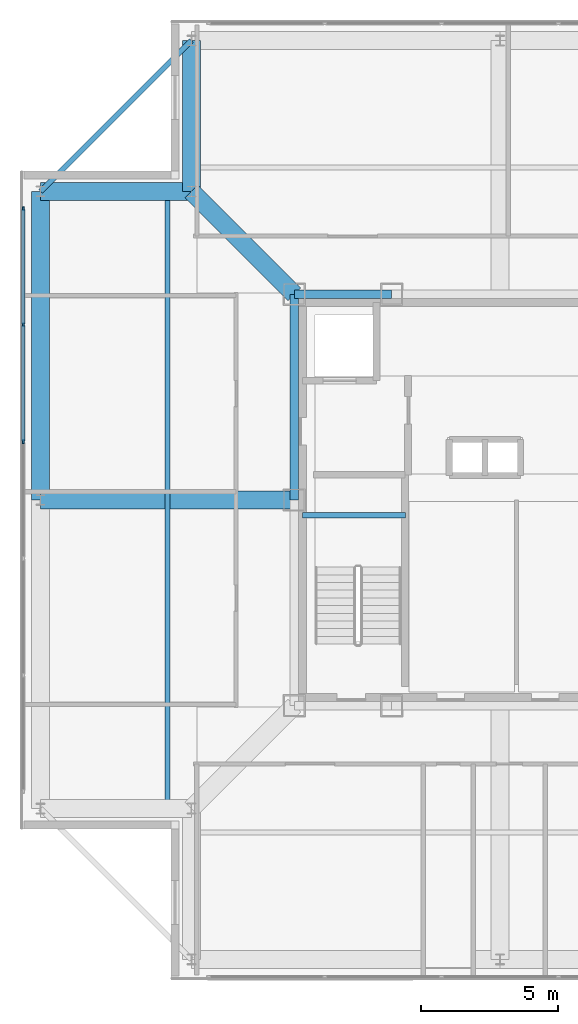
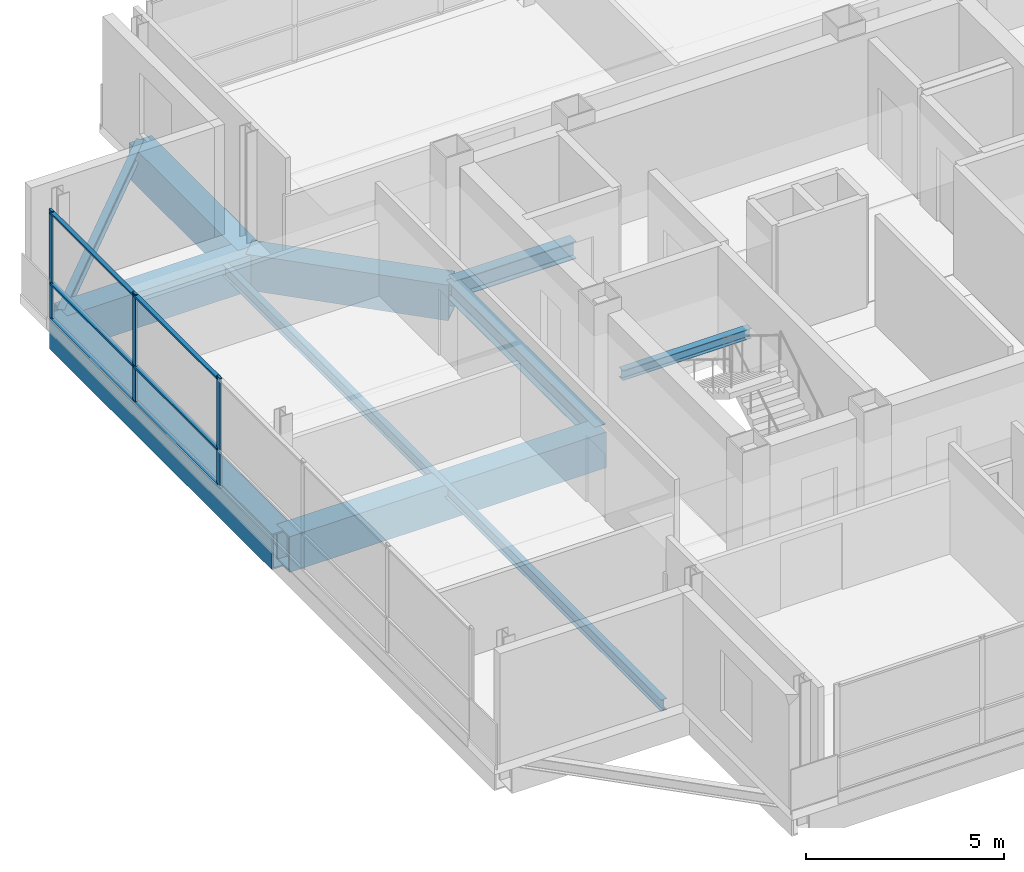
# One storey, part 4 of 12: 10 beams, 9 members, 1 element without a shape of its own.
"""IFC4 building model written with IfcOpenShell, lengths in metres."""

from ifc_helpers import new_model, si_unit, direction, frame, origin, origin_2d, place, context, subcontext, project, spatial, rectangle, hollow_rectangle, i_section, extrude, material, layer, layer_set, material_profile, profile_set, type_object, element, aggregate, save


model = new_model("IFC4")

# Units and contexts
model_context = context("Model", 3, precision=1e-05, world=origin(), true_north=direction((0.0, 1.0)))
body_context = subcontext(model_context, "Body", "Model", "MODEL_VIEW")
ifc_project = project(units=[si_unit("LENGTHUNIT", "METRE"), si_unit("AREAUNIT", "SQUARE_METRE"), si_unit("VOLUMEUNIT", "CUBIC_METRE"), si_unit("PLANEANGLEUNIT", "RADIAN"), si_unit("MASSUNIT", "GRAM", prefix="KILO")], contexts=[model_context])

# Site, building, storey
site_placement = place(None, origin())
site = spatial("IfcSite", under=ifc_project, at=site_placement, CompositionType="ELEMENT")
building_placement = place(site_placement, origin())
building = spatial("IfcBuilding", under=site, at=building_placement, Name="Trevonay Congress Spire", CompositionType="ELEMENT")
storey_placement = place(building_placement, frame((0.0, 0.0, 304.60009765625)))
storey = spatial("IfcBuildingStorey", under=building, at=storey_placement, Name="L80", CompositionType="ELEMENT", Elevation=304.60009765625)

# Beams
ifc_material_1 = material(Name="Steel ASTM A572 Grade 50", Category="steel")
ifc_material_profile_1 = material_profile(ifc_material_1, i_section(OverallWidth=0.31201171875, OverallDepth=0.54296875, WebThickness=0.0126953125, FlangeThickness=0.020263671875, FilletRadius=0.014892578125, at=origin_2d()), Name="W530x150")
ifc_profile_set_1 = profile_set([ifc_material_profile_1], Name="Steel ASTM A572 Grade 50")
beam_type_1 = type_object("IfcBeamType", Name="BM-GIRD-W530X150", PredefinedType="BEAM", material=ifc_profile_set_1)
beam_1_placement = place(storey_placement, frame((-7.5, 7.5, -0.551513671875), z_axis=(1.0, 0.0, 0.0), x_axis=(0.0, 1.0, 0.0)))
element("IfcBeam", 1, at=beam_1_placement, inside=storey, type_object=beam_type_1, Name="L80 structural beam BM-L80-CR-N1", PredefinedType="BEAM", context=body_context, shape_type="SweptSolid", body=[
    extrude(i_section(OverallWidth=0.31201171875, OverallDepth=0.54296875, WebThickness=0.0126953125, FlangeThickness=0.020263671875, FilletRadius=0.014892578125, at=origin_2d()), origin(), (0.0, 0.0, 1.0), 3.550048828125),
])
beam_2_placement = place(storey_placement, frame((-7.5, 0.0, -0.551513671875), z_axis=(0.0, 1.0, 0.0), x_axis=(-1.0, 0.0, 0.0)))
element("IfcBeam", 2, at=beam_2_placement, inside=storey, type_object=beam_type_1, Name="L80 structural beam BM-L80-CR-W2", PredefinedType="BEAM", context=body_context, shape_type="SweptSolid", body=[
    extrude(i_section(OverallWidth=0.31201171875, OverallDepth=0.54296875, WebThickness=0.0126953125, FlangeThickness=0.020263671875, FilletRadius=0.014892578125, at=origin_2d()), origin(), (0.0, 0.0, 1.0), 7.5),
])
ifc_material_profile_2 = material_profile(ifc_material_1, hollow_rectangle(XDim=0.64990234375, YDim=1.10009765625, WallThickness=0.044921875, at=origin_2d()), Name="BOX 1100x650x45")
ifc_profile_set_2 = profile_set([ifc_material_profile_2], Name="Steel ASTM A572 Grade 50")
beam_type_2 = type_object("IfcBeamType", Name="BM-RING-BOX1100", PredefinedType="BEAM", material=ifc_profile_set_2)
beam_3_placement = place(storey_placement, frame((-16.75, 0.0, -0.830078125), z_axis=(0.0, 1.0, 0.0), x_axis=(-1.0, 0.0, 0.0)))
element("IfcBeam", 3, at=beam_3_placement, inside=storey, type_object=beam_type_2, Name="L80 structural beam BM-L80-PW2", PredefinedType="BEAM", context=body_context, shape_type="SweptSolid", body=[
    extrude(hollow_rectangle(XDim=0.64990234375, YDim=1.10009765625, WallThickness=0.044921875, at=origin_2d()), origin(), (0.0, 0.0, 1.0), 11.25),
])
for number, where, z_axis, x_axis, name in (
    (4, (-11.25, 16.75, -0.830078125), (0.0, -1.0, 0.0), (1.0, 0.0, 0.0), "L80 structural beam BM-L80-N1NW"),
    (5, (-16.75, 11.25, -0.830078125), (1.0, 0.0, 0.0), (0.0, 1.0, 0.0), "L80 structural beam BM-L80-N2NW"),
):
    element("IfcBeam", number, at=place(storey_placement, frame(where, z_axis=z_axis, x_axis=x_axis)), inside=storey, type_object=beam_type_2, Name=name, PredefinedType="BEAM", context=body_context, shape_type="SweptSolid", body=[
        extrude(hollow_rectangle(XDim=0.64990234375, YDim=1.10009765625, WallThickness=0.044921875, at=origin_2d()), origin(), (0.0, 0.0, 1.0), 5.5),
    ])
ifc_material_profile_3 = material_profile(ifc_material_1, hollow_rectangle(XDim=0.64990234375, YDim=1.10009765625, WallThickness=0.044921875, at=origin_2d()), Name="BOX 1100x650x45")
ifc_profile_set_3 = profile_set([ifc_material_profile_3], Name="Steel ASTM A572 Grade 50")
beam_type_3 = type_object("IfcBeamType", Name="BM-XFER-BOX1100", PredefinedType="BEAM", material=ifc_profile_set_3)
beam_4_placement = place(storey_placement, frame((-7.5, 7.5, -0.830078125), z_axis=(-0.707106781187, 0.707106781187, 0.0), x_axis=(-0.707106781187, -0.707106781187, 0.0)))
element("IfcBeam", 6, at=beam_4_placement, inside=storey, type_object=beam_type_3, Name="L80 structural beam BM-L80-CDNW", PredefinedType="BEAM", context=body_context, shape_type="SweptSolid", body=[
    extrude(hollow_rectangle(XDim=0.64990234375, YDim=1.10009765625, WallThickness=0.044921875, at=origin_2d()), origin(), (0.0, 0.0, 1.0), 5.30322265625),
])
beam_5_placement = place(storey_placement, frame((-7.5, 0.0, -0.830078125), z_axis=(-1.0, 0.0, 0.0), x_axis=(0.0, -1.0, 0.0)))
element("IfcBeam", 7, at=beam_5_placement, inside=storey, type_object=beam_type_3, Name="L80 structural beam BM-L80-GC-W", PredefinedType="BEAM", context=body_context, shape_type="SweptSolid", body=[
    extrude(hollow_rectangle(XDim=0.64990234375, YDim=1.10009765625, WallThickness=0.044921875, at=origin_2d()), origin(), (0.0, 0.0, 1.0), 9.25),
])

# Curtain wall, members
ifc_material_2 = material(Name="Pale Anodised Aluminium EN AW-6063-T6", Category="aluminium")
ifc_layer = layer(ifc_material_2, 0.159912109375, Name="Pale Anodised Aluminium EN AW-6063-T6")
ifc_layer_set = layer_set([ifc_layer], Name="Pale Anodised Aluminium EN AW-6063-T6")
curtain_wall_type = type_object("IfcCurtainWallType", Name="CW-SYS06-CROWN-PALE-METAL", PredefinedType="NOTDEFINED", material=ifc_layer_set)
curtain_wall_placement = place(storey_placement, origin())
curtain_wall = element("IfcCurtainWall", 8, at=curtain_wall_placement, inside=storey, type_object=curtain_wall_type, Name="L80 W unitised curtain wall", PredefinedType="NOTDEFINED")
ifc_material_profile_4 = material_profile(ifc_material_2, rectangle(XDim=0.06005859375, YDim=0.159912109375, at=origin_2d()), Name="CW-MULLION-160-ALUMINIUM")
ifc_profile_set_4 = profile_set([ifc_material_profile_4], Name="Pale Anodised Aluminium EN AW-6063-T6")
member_type_1 = type_object("IfcMemberType", Name="CW-MULLION-160-ALUMINIUM", PredefinedType="MULLION", material=ifc_profile_set_4)
member_1_placement = place(storey_placement, frame((-17.3798828125, 2.1298828125, 0.0), z_axis=(0.0, 0.0, 1.0), x_axis=(-1.0, 0.0, 0.0)))
member_1 = element("IfcMember", 9, at=member_1_placement, type_object=member_type_1, Name="CW06 mullion 4", PredefinedType="MULLION", context=body_context, shape_type="SweptSolid", body=[
    extrude(rectangle(XDim=0.06005859375, YDim=0.159912109375, at=origin_2d()), origin(), (0.0, 0.0, 1.0), 3.39990234375),
])
member_2_placement = place(storey_placement, frame((-17.3798828125, 6.389892578125, 0.0), z_axis=(0.0, 0.0, 1.0), x_axis=(-1.0, 0.0, 0.0)))
member_2 = element("IfcMember", 10, at=member_2_placement, type_object=member_type_1, Name="CW06 mullion 5", PredefinedType="MULLION", context=body_context, shape_type="SweptSolid", body=[
    extrude(rectangle(XDim=0.06005859375, YDim=0.159912109375, at=origin_2d()), origin(), (0.0, 0.0, 1.0), 3.39990234375),
])
member_3_placement = place(storey_placement, frame((-17.3798828125, 10.6201171875, 0.0), z_axis=(0.0, 0.0, 1.0), x_axis=(-1.0, 0.0, 0.0)))
member_3 = element("IfcMember", 11, at=member_3_placement, type_object=member_type_1, Name="CW06 mullion 6", PredefinedType="MULLION", context=body_context, shape_type="SweptSolid", body=[
    extrude(rectangle(XDim=0.06005859375, YDim=0.159912109375, at=origin_2d()), origin(), (0.0, 0.0, 1.0), 3.39990234375),
])
ifc_material_profile_5 = material_profile(ifc_material_2, rectangle(XDim=0.1201171875, YDim=0.06005859375, at=origin_2d()), Name="CW-TRANSOM-120-ALUMINIUM")
ifc_profile_set_5 = profile_set([ifc_material_profile_5], Name="Pale Anodised Aluminium EN AW-6063-T6")
member_type_2 = type_object("IfcMemberType", Name="CW-TRANSOM-120-ALUMINIUM", PredefinedType="USERDEFINED", material=ifc_profile_set_5)
member_4_placement = place(storey_placement, frame((-17.3798828125, 2.159912109375, 0.059814453125), z_axis=(0.0, 1.0, 0.0), x_axis=(-1.0, 0.0, 0.0)))
member_4 = element("IfcMember", 12, at=member_4_placement, type_object=member_type_2, Name="CW06 transom 4.1", ObjectType="TRANSOM", PredefinedType="USERDEFINED", context=body_context, shape_type="SweptSolid", body=[
    extrude(rectangle(XDim=0.1201171875, YDim=0.06005859375, at=origin_2d()), origin(), (0.0, 0.0, 1.0), 4.2001953125),
])
member_5_placement = place(storey_placement, frame((-17.3798828125, 2.159912109375, 1.156005859375), z_axis=(0.0, 1.0, 0.0), x_axis=(-1.0, 0.0, 0.0)))
member_5 = element("IfcMember", 13, at=member_5_placement, type_object=member_type_2, Name="CW06 transom 4.2", ObjectType="TRANSOM", PredefinedType="USERDEFINED", context=body_context, shape_type="SweptSolid", body=[
    extrude(rectangle(XDim=0.1201171875, YDim=0.06005859375, at=origin_2d()), origin(), (0.0, 0.0, 1.0), 4.2001953125),
])
member_6_placement = place(storey_placement, frame((-17.3798828125, 2.159912109375, 3.33984375), z_axis=(0.0, 1.0, 0.0), x_axis=(-1.0, 0.0, 0.0)))
member_6 = element("IfcMember", 14, at=member_6_placement, type_object=member_type_2, Name="CW06 transom 4.3", ObjectType="TRANSOM", PredefinedType="USERDEFINED", context=body_context, shape_type="SweptSolid", body=[
    extrude(rectangle(XDim=0.1201171875, YDim=0.06005859375, at=origin_2d()), origin(), (0.0, 0.0, 1.0), 4.2001953125),
])
member_7_placement = place(storey_placement, frame((-17.3798828125, 6.419921875, 0.059814453125), z_axis=(0.0, 1.0, 0.0), x_axis=(-1.0, 0.0, 0.0)))
member_7 = element("IfcMember", 15, at=member_7_placement, type_object=member_type_2, Name="CW06 transom 5.1", ObjectType="TRANSOM", PredefinedType="USERDEFINED", context=body_context, shape_type="SweptSolid", body=[
    extrude(rectangle(XDim=0.1201171875, YDim=0.06005859375, at=origin_2d()), origin(), (0.0, 0.0, 1.0), 4.170166015625),
])
member_8_placement = place(storey_placement, frame((-17.3798828125, 6.419921875, 1.156005859375), z_axis=(0.0, 1.0, 0.0), x_axis=(-1.0, 0.0, 0.0)))
member_8 = element("IfcMember", 16, at=member_8_placement, type_object=member_type_2, Name="CW06 transom 5.2", ObjectType="TRANSOM", PredefinedType="USERDEFINED", context=body_context, shape_type="SweptSolid", body=[
    extrude(rectangle(XDim=0.1201171875, YDim=0.06005859375, at=origin_2d()), origin(), (0.0, 0.0, 1.0), 4.170166015625),
])
member_9_placement = place(storey_placement, frame((-17.3798828125, 6.419921875, 3.33984375), z_axis=(0.0, 1.0, 0.0), x_axis=(-1.0, 0.0, 0.0)))
member_9 = element("IfcMember", 17, at=member_9_placement, type_object=member_type_2, Name="CW06 transom 5.3", ObjectType="TRANSOM", PredefinedType="USERDEFINED", context=body_context, shape_type="SweptSolid", body=[
    extrude(rectangle(XDim=0.1201171875, YDim=0.06005859375, at=origin_2d()), origin(), (0.0, 0.0, 1.0), 4.170166015625),
])
aggregate(curtain_wall, [member_1, member_2, member_3, member_4, member_5, member_6, member_7, member_8, member_9])

# Beams
ifc_material_profile_6 = material_profile(ifc_material_1, i_section(OverallWidth=0.172119140625, OverallDepth=0.35791015625, WebThickness=0.0078125, FlangeThickness=0.01318359375, FilletRadius=0.011962890625, at=origin_2d()), Name="W360x57.8")
ifc_profile_set_6 = profile_set([ifc_material_profile_6], Name="Steel ASTM A572 Grade 50")
beam_type_4 = type_object("IfcBeamType", Name="JS-COMP-W360X57", PredefinedType="JOIST", material=ifc_profile_set_6)
beam_6_placement = place(storey_placement, frame((-12.125, -11.25, -0.458984375), z_axis=(0.0, 1.0, 0.0), x_axis=(-1.0, 0.0, 0.0)))
element("IfcBeam", 18, at=beam_6_placement, inside=storey, type_object=beam_type_4, Name="L80 structural beam JS-L80-RING-W", PredefinedType="JOIST", context=body_context, shape_type="SweptSolid", body=[
    extrude(i_section(OverallWidth=0.172119140625, OverallDepth=0.35791015625, WebThickness=0.0078125, FlangeThickness=0.01318359375, FilletRadius=0.011962890625, at=origin_2d()), origin(), (0.0, 0.0, 1.0), 22.5),
])
ifc_material_profile_7 = material_profile(ifc_material_1, i_section(OverallWidth=0.2041015625, OverallDepth=0.305908203125, WebThickness=0.008544921875, FlangeThickness=0.0146484375, FilletRadius=0.010986328125, at=origin_2d()), Name="W310x67")
ifc_profile_set_7 = profile_set([ifc_material_profile_7], Name="Steel ASTM A572 Grade 50")
beam_type_5 = type_object("IfcBeamType", Name="LN-CORE-W310X67", PredefinedType="LINTEL", material=ifc_profile_set_7)
beam_7_placement = place(storey_placement, frame((-7.199951171875, -0.550048828125, 1.546875), z_axis=(1.0, 0.0, 0.0), x_axis=(0.0, 1.0, 0.0)))
element("IfcBeam", 19, at=beam_7_placement, inside=storey, type_object=beam_type_5, Name="L80 structural beam BM-L80-HL-ST1", PredefinedType="LINTEL", context=body_context, shape_type="SweptSolid", body=[
    extrude(i_section(OverallWidth=0.2041015625, OverallDepth=0.305908203125, WebThickness=0.008544921875, FlangeThickness=0.0146484375, FilletRadius=0.010986328125, at=origin_2d()), origin(), (0.0, 0.0, 1.0), 3.75),
])
ifc_material_profile_8 = material_profile(ifc_material_1, i_section(OverallWidth=0.205078125, OverallDepth=0.35400390625, WebThickness=0.009521484375, FlangeThickness=0.016845703125, FilletRadius=0.011962890625, at=origin_2d()), Name="W360x79")
ifc_profile_set_8 = profile_set([ifc_material_profile_8], Name="Steel ASTM A572 Grade 50")
beam_type_6 = type_object("IfcBeamType", Name="SPB-HSS350", PredefinedType="SPANDREL", material=ifc_profile_set_8)
beam_8_placement = place(storey_placement, frame((-11.25, 16.75, -0.45703125), z_axis=(-0.707106781187, -0.707106781187, 0.0), x_axis=(0.707106781187, -0.707106781187, 0.0)))
element("IfcBeam", 20, at=beam_8_placement, inside=storey, type_object=beam_type_6, Name="L80 structural beam SPB-L80-NW", PredefinedType="SPANDREL", context=body_context, shape_type="SweptSolid", body=[
    extrude(i_section(OverallWidth=0.205078125, OverallDepth=0.35400390625, WebThickness=0.009521484375, FlangeThickness=0.016845703125, FilletRadius=0.011962890625, at=origin_2d()), origin(), (0.0, 0.0, 1.0), 7.778076171875),
])

save(model, "model.ifc")
